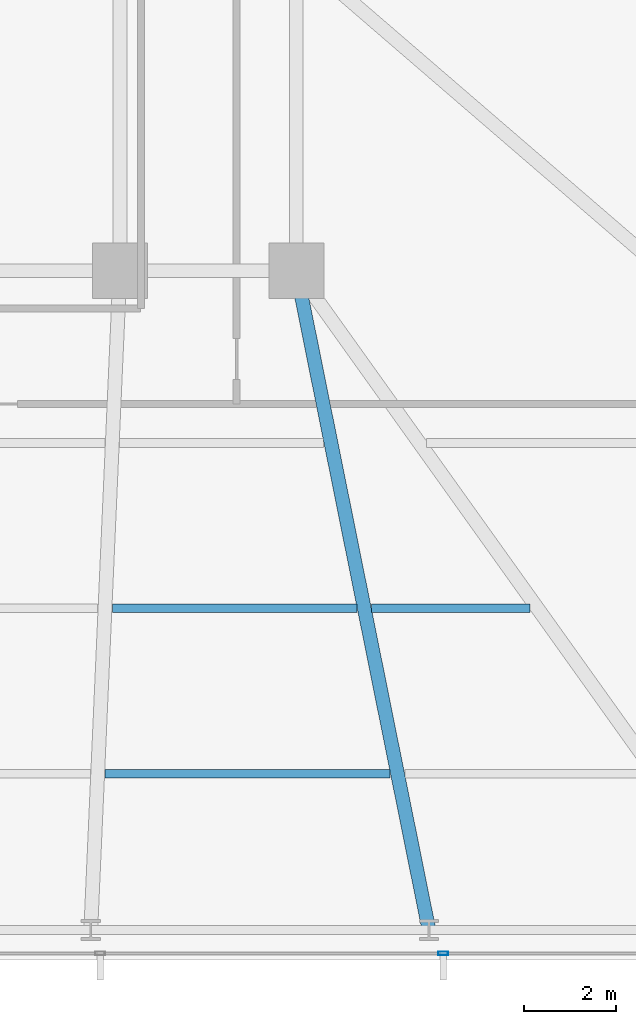
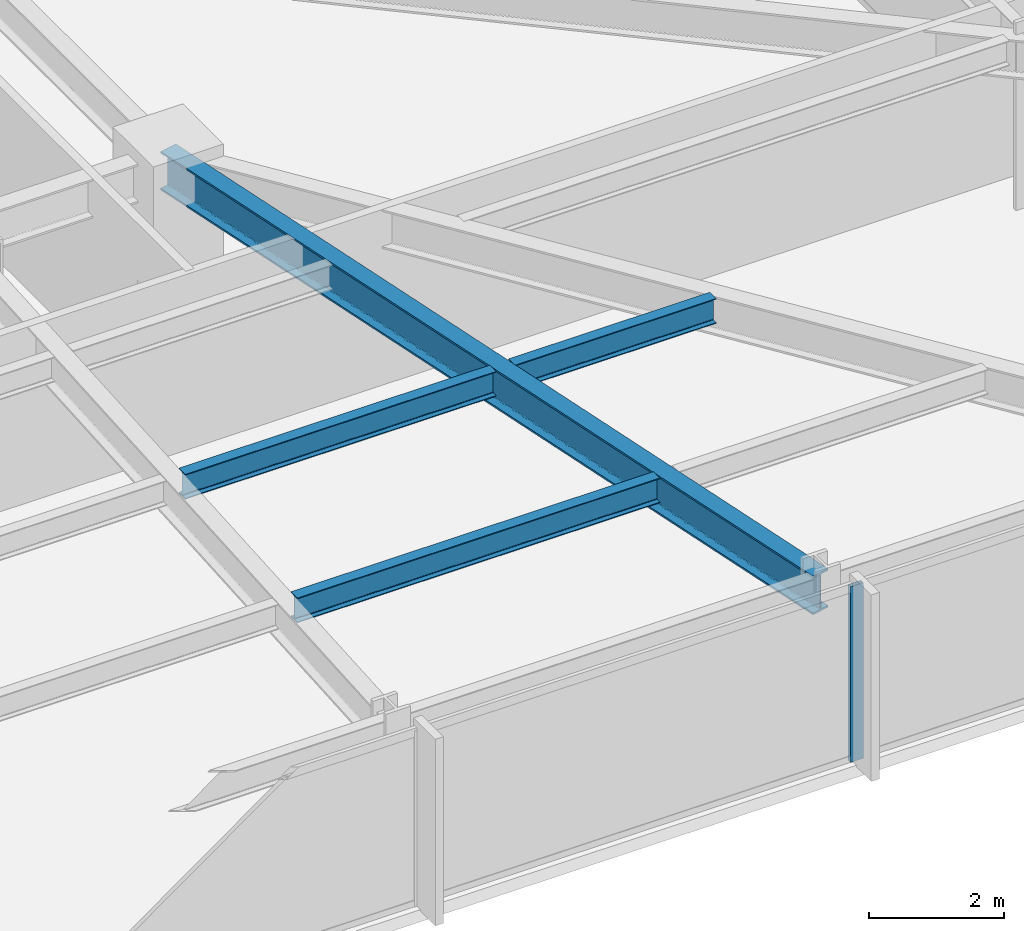
# One storey, part 14 of 33: 4 beams, 1 member, 1 element without a shape of its own.
"""IFC4 building model written with IfcOpenShell, lengths in metres."""

from ifc_helpers import new_model, si_unit, direction, frame, origin, origin_2d, place, context, subcontext, project, spatial, hollow_rectangle, i_section, extrude, material, material_profile, profile_set, type_object, element, aggregate, save


model = new_model("IFC4")

# Units and contexts
model_context = context("Model", 3, precision=1e-05, world=origin(), true_north=direction((0.0, 1.0)))
body_context = subcontext(model_context, "Body", "Model", "MODEL_VIEW")
ifc_project = project(units=[si_unit("LENGTHUNIT", "METRE"), si_unit("AREAUNIT", "SQUARE_METRE"), si_unit("VOLUMEUNIT", "CUBIC_METRE"), si_unit("PLANEANGLEUNIT", "RADIAN"), si_unit("MASSUNIT", "GRAM", prefix="KILO")], contexts=[model_context])

# Site, building, storey
site_placement = place(None, origin())
site = spatial("IfcSite", under=ifc_project, at=site_placement, CompositionType="ELEMENT")
building_placement = place(site_placement, origin())
building = spatial("IfcBuilding", under=site, at=building_placement, Name="Yelkora Congress Tower", CompositionType="ELEMENT")
storey_placement = place(building_placement, frame((0.0, 0.0, 47.39990234375)))
storey = spatial("IfcBuildingStorey", under=building, at=storey_placement, Name="L11", CompositionType="ELEMENT", Elevation=47.39990234375)

# Beams
ifc_material_1 = material(Name="Steel S355J2", Category="steel")
ifc_material_profile_1 = material_profile(ifc_material_1, i_section(OverallWidth=0.300048828125, OverallDepth=0.699951171875, WebThickness=0.01708984375, FlangeThickness=0.031982421875, FilletRadius=0.027099609375, at=origin_2d()), Name="HEB 700")
ifc_profile_set_1 = profile_set([ifc_material_profile_1], Name="Steel S355J2")
beam_type_1 = type_object("IfcBeamType", Name="BM-GIRD-HEB700", PredefinedType="BEAM", material=ifc_profile_set_1)
beam_1_placement = place(storey_placement, frame((60.487548828125, 10.85009765625, 2.830078125), z_axis=(-0.197264295931, 0.980350344291, 0.0), x_axis=(-0.980350344291, -0.197264295931, 0.0)))
element("IfcBeam", 1, at=beam_1_placement, inside=storey, type_object=beam_type_1, Name="L11 Primary Frame Girder S08", PredefinedType="BEAM", context=body_context, shape_type="SweptSolid", body=[
    extrude(i_section(OverallWidth=0.300048828125, OverallDepth=0.699951171875, WebThickness=0.01708984375, FlangeThickness=0.031982421875, FilletRadius=0.027099609375, at=origin_2d()), origin(), (0.0, 0.0, 1.0), 14.637451171875),
])
ifc_material_profile_2 = material_profile(ifc_material_1, i_section(OverallWidth=0.18994140625, OverallDepth=0.449951171875, WebThickness=0.009521484375, FlangeThickness=0.0146484375, FilletRadius=0.02099609375, at=origin_2d()), Name="IPE 450")
ifc_profile_set_2 = profile_set([ifc_material_profile_2], Name="Steel S355J2")
beam_type_2 = type_object("IfcBeamType", Name="BM-JOIST-IPE450", PredefinedType="JOIST", material=ifc_profile_set_2)
beam_2_placement = place(storey_placement, frame((53.435546875, 14.25, 2.955078125), z_axis=(1.0, 0.0, 0.0), x_axis=(0.0, 1.0, 0.0)))
element("IfcBeam", 2, at=beam_2_placement, inside=storey, type_object=beam_type_2, Name="L11 Composite Floor Joist 7", PredefinedType="JOIST", context=body_context, shape_type="SweptSolid", body=[
    extrude(i_section(OverallWidth=0.18994140625, OverallDepth=0.449951171875, WebThickness=0.009521484375, FlangeThickness=0.0146484375, FilletRadius=0.02099609375, at=origin_2d()), origin(), (0.0, 0.0, 1.0), 6.207763671875),
])
beam_3_placement = place(storey_placement, frame((53.5947265625, 17.85009765625, 2.955078125), z_axis=(1.0, 0.0, 0.0), x_axis=(0.0, 1.0, 0.0)))
element("IfcBeam", 3, at=beam_3_placement, inside=storey, type_object=beam_type_2, Name="L11 Composite Floor Joist 15", PredefinedType="JOIST", context=body_context, shape_type="SweptSolid", body=[
    extrude(i_section(OverallWidth=0.18994140625, OverallDepth=0.449951171875, WebThickness=0.009521484375, FlangeThickness=0.0146484375, FilletRadius=0.02099609375, at=origin_2d()), origin(), (0.0, 0.0, 1.0), 5.32421875),
])
beam_4_placement = place(storey_placement, frame((59.239013671875, 17.85009765625, 2.955078125), z_axis=(1.0, 0.0, 0.0), x_axis=(0.0, 1.0, 0.0)))
element("IfcBeam", 4, at=beam_4_placement, inside=storey, type_object=beam_type_2, Name="L11 Composite Floor Joist 16", PredefinedType="JOIST", context=body_context, shape_type="SweptSolid", body=[
    extrude(i_section(OverallWidth=0.18994140625, OverallDepth=0.449951171875, WebThickness=0.009521484375, FlangeThickness=0.0146484375, FilletRadius=0.02099609375, at=origin_2d()), origin(), (0.0, 0.0, 1.0), 3.450927734375),
])

# Curtain wall, member
ifc_material_2 = material(Name="Anodised aluminium and insulated glass", Category="aluminium")
curtain_wall_type = type_object("IfcCurtainWallType", Name="CW-SYS-B1", PredefinedType="NOTDEFINED", material=ifc_material_2)
curtain_wall_placement = place(storey_placement, origin())
curtain_wall = element("IfcCurtainWall", 5, at=curtain_wall_placement, inside=storey, type_object=curtain_wall_type, Name="L11 Unitised Curtain Wall 20", PredefinedType="NOTDEFINED")
ifc_material_3 = material(Name="Anodised aluminium 6063-T6", Category="aluminium")
ifc_material_profile_3 = material_profile(ifc_material_3, hollow_rectangle(XDim=0.074951171875, YDim=0.219970703125, WallThickness=0.0048828125, at=origin_2d()), Name="ALU 75x220x5")
ifc_profile_set_3 = profile_set([ifc_material_profile_3], Name="Anodised aluminium 6063-T6")
member_type = type_object("IfcMemberType", Name="MEM-ML-B1", PredefinedType="MULLION", material=ifc_profile_set_3)
member_placement = place(storey_placement, frame((60.794921875, 10.340087890625, 0.0), z_axis=(0.0, 0.0, 1.0), x_axis=(0.0, -1.0, 0.0)))
member = element("IfcMember", 6, at=member_placement, type_object=member_type, Name="CW-B1 mullion 2", PredefinedType="MULLION", context=body_context, shape_type="SweptSolid", body=[
    extrude(hollow_rectangle(XDim=0.074951171875, YDim=0.219970703125, WallThickness=0.0048828125, at=origin_2d()), origin(), (0.0, 0.0, 1.0), 3.18017578125),
])
aggregate(curtain_wall, [member])

save(model, "model.ifc")
